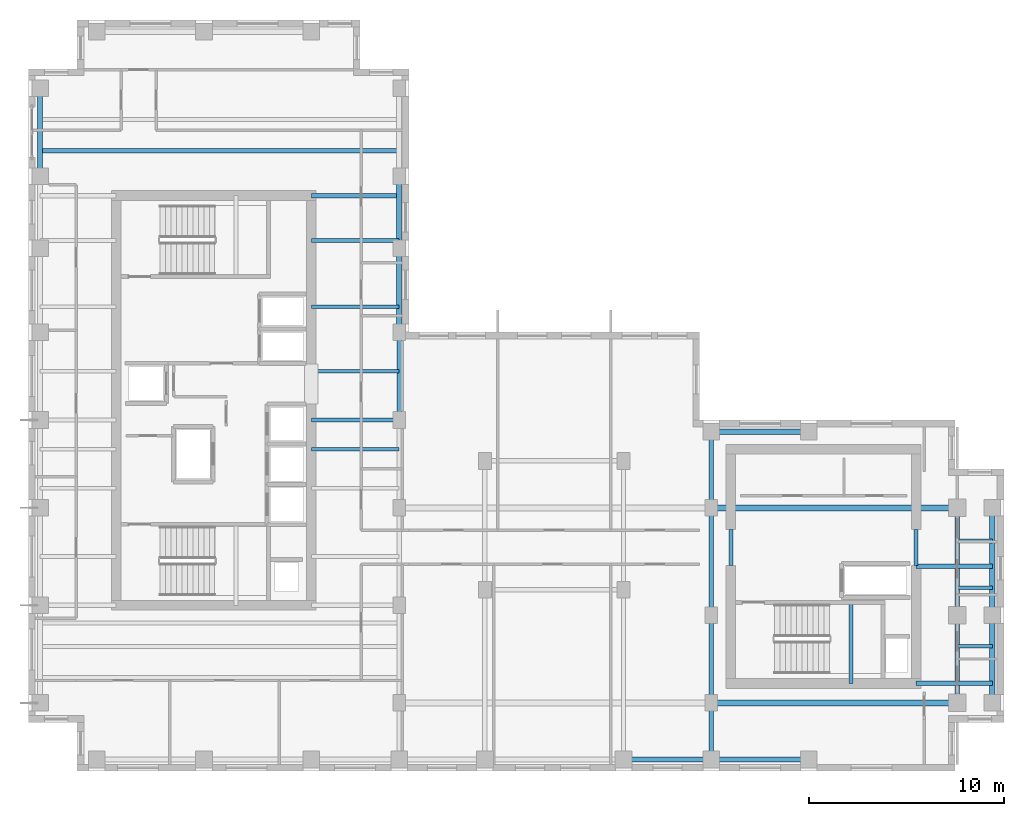
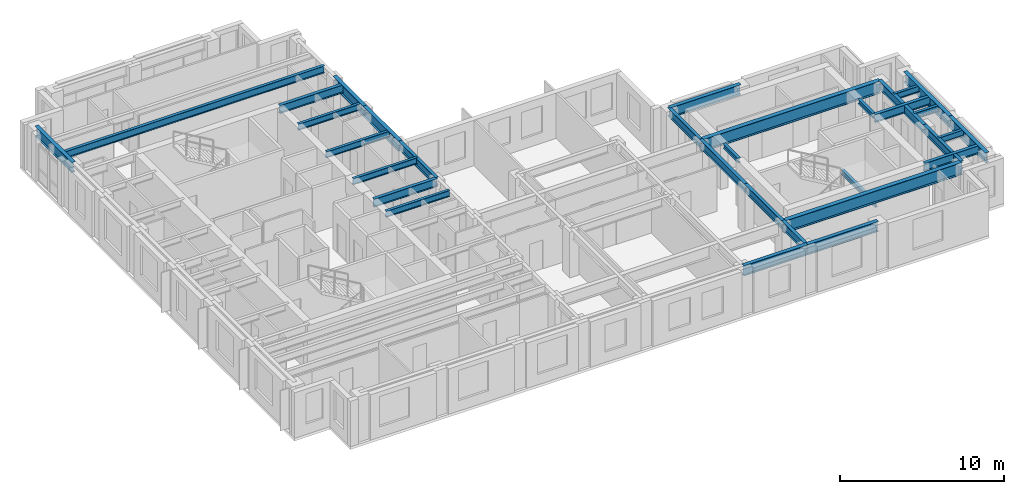
# One storey, part 3 of 13: 32 beams.
"""IFC4 building model written with IfcOpenShell, lengths in metres."""

from ifc_helpers import new_model, si_unit, direction, frame, origin, origin_2d, place, context, subcontext, project, spatial, i_section, extrude, source, transform, mapped, material, material_profile, profile_set, type_object, element, save


model = new_model("IFC4")

# Units and contexts
model_context = context("Model", 3, precision=1e-05, world=origin(), true_north=direction((0.0, 1.0)))
body_context = subcontext(model_context, "Body", "Model", "MODEL_VIEW")
ifc_project = project(units=[si_unit("LENGTHUNIT", "METRE"), si_unit("AREAUNIT", "SQUARE_METRE"), si_unit("VOLUMEUNIT", "CUBIC_METRE"), si_unit("PLANEANGLEUNIT", "RADIAN"), si_unit("MASSUNIT", "GRAM", prefix="KILO")], contexts=[model_context])

# Site, building, storey
site_placement = place(None, origin())
site = spatial("IfcSite", under=ifc_project, at=site_placement, CompositionType="ELEMENT")
building_placement = place(site_placement, origin())
building = spatial("IfcBuilding", under=site, at=building_placement, Name="Kharzan Plaza Tower", CompositionType="ELEMENT")
storey_placement = place(building_placement, frame((0.0, 0.0, 252.0)))
storey = spatial("IfcBuildingStorey", under=building, at=storey_placement, Name="L68", CompositionType="ELEMENT", Elevation=252.0)

# Beams
ifc_material = material(Name="Steel S355", Category="steel")
ifc_material_profile_1 = material_profile(ifc_material, i_section(OverallWidth=0.205078125, OverallDepth=0.35400390625, WebThickness=0.009521484375, FlangeThickness=0.016845703125, at=origin_2d()), Name="W360x79")
ifc_profile_set_1 = profile_set([ifc_material_profile_1], Name="Steel S355")
beam_type_1 = type_object("IfcBeamType", Name="BM-LNT360", PredefinedType="LINTEL", material=ifc_profile_set_1)
shared_shape_1 = source(origin(), body_context, "Body", "SweptSolid", [
    extrude(i_section(OverallWidth=0.205078125, OverallDepth=0.35400390625, WebThickness=0.009521484375, FlangeThickness=0.016845703125, at=origin_2d()), origin(), (0.0, 0.0, 1.0), 1.849853515625),
])
for number, where, z_axis, x_axis, name in (
    (1, (45.5, 10.550048828125, 3.222900390625), (0.0, 1.0, 0.0), (-1.0, 0.0, 0.0), "L68 CORE-B coupling lintel LN1-WE"),
    (2, (36.0, 10.550048828125, 3.222900390625), (0.0, 1.0, 0.0), (-1.0, 0.0, 0.0), "L68 CORE-B coupling lintel LN1-WW"),
):
    element("IfcBeam", number, at=place(storey_placement, frame(where, z_axis=z_axis, x_axis=x_axis)), inside=storey, type_object=beam_type_1, Name=name, PredefinedType="LINTEL", context=body_context, shape_type="MappedRepresentation", body=[
        mapped(shared_shape_1, transform((0.0, 0.0, 0.0), x_axis=(1.0, 0.0, 0.0), y_axis=(0.0, 1.0, 0.0), z_axis=(0.0, 0.0, 1.0))),
    ])
shared_shape_2 = source(origin(), body_context, "Body", "SweptSolid", [
    extrude(i_section(OverallWidth=0.205078125, OverallDepth=0.35400390625, WebThickness=0.009521484375, FlangeThickness=0.016845703125, at=origin_2d()), origin(), (0.0, 0.0, 1.0), 4.155029296875),
])
beam_1_placement = place(storey_placement, frame((42.14990234375, 4.5, 1.423095703125), z_axis=(0.0, 1.0, 0.0), x_axis=(-1.0, 0.0, 0.0)))
element("IfcBeam", 3, at=beam_1_placement, inside=storey, type_object=beam_type_1, Name="L68 Stair ST-3 Half-Landing Beam", PredefinedType="LINTEL", context=body_context, shape_type="MappedRepresentation", body=[
    mapped(shared_shape_2, transform((0.0, 0.0, 0.0), x_axis=(1.0, 0.0, 0.0), y_axis=(0.0, 1.0, 0.0), z_axis=(0.0, 0.0, 1.0))),
])
ifc_material_profile_2 = material_profile(ifc_material, i_section(OverallWidth=0.304931640625, OverallDepth=0.9189453125, WebThickness=0.017333984375, FlangeThickness=0.02783203125, at=origin_2d()), Name="W920x253")
ifc_profile_set_2 = profile_set([ifc_material_profile_2], Name="Steel S355")
beam_type_2 = type_object("IfcBeamType", Name="BM-FG920B", PredefinedType="BEAM", material=ifc_profile_set_2)
shared_shape_3 = source(origin(), body_context, "Body", "SweptSolid", [
    extrude(i_section(OverallWidth=0.304931640625, OverallDepth=0.9189453125, WebThickness=0.017333984375, FlangeThickness=0.02783203125, at=origin_2d()), origin(), (0.0, 0.0, 1.0), 12.60009765625),
])
for number, where, z_axis, x_axis, name in (
    (4, (35.0, 3.5, 2.9404296875), (1.0, 0.0, 0.0), (0.0, 1.0, 0.0), "L68 Primary Floor Girder"),
    (5, (35.0, 13.5, 2.9404296875), (1.0, 0.0, 0.0), (0.0, 1.0, 0.0), "L68 Primary Floor Girder"),
):
    element("IfcBeam", number, at=place(storey_placement, frame(where, z_axis=z_axis, x_axis=x_axis)), inside=storey, type_object=beam_type_2, Name=name, PredefinedType="BEAM", context=body_context, shape_type="MappedRepresentation", body=[
        mapped(shared_shape_3, transform((0.0, 0.0, 0.0), x_axis=(1.0, 0.0, 0.0), y_axis=(0.0, 1.0, 0.0), z_axis=(0.0, 0.0, 1.0))),
    ])
ifc_material_profile_3 = material_profile(ifc_material, i_section(OverallWidth=0.2099609375, OverallDepth=0.537109375, WebThickness=0.010986328125, FlangeThickness=0.017333984375, at=origin_2d()), Name="W530x101")
ifc_profile_set_3 = profile_set([ifc_material_profile_3], Name="Steel S355")
beam_type_3 = type_object("IfcBeamType", Name="BM-JST530B", PredefinedType="JOIST", material=ifc_profile_set_3)
shared_shape_4 = source(origin(), body_context, "Body", "SweptSolid", [
    extrude(i_section(OverallWidth=0.2099609375, OverallDepth=0.537109375, WebThickness=0.010986328125, FlangeThickness=0.017333984375, at=origin_2d()), origin(), (0.0, 0.0, 1.0), 18.39990234375),
])
beam_2_placement = place(storey_placement, frame((0.60009765625, 31.800048828125, 3.131591796875), z_axis=(1.0, 0.0, 0.0), x_axis=(0.0, 1.0, 0.0)))
element("IfcBeam", 6, at=beam_2_placement, inside=storey, type_object=beam_type_3, Name="L68 Wing A Composite Joist 04", PredefinedType="JOIST", context=body_context, shape_type="MappedRepresentation", body=[
    mapped(shared_shape_4, transform((0.0, 0.0, 0.0), x_axis=(1.0, 0.0, 0.0), y_axis=(0.0, 1.0, 0.0), z_axis=(0.0, 0.0, 1.0))),
])
ifc_material_profile_4 = material_profile(ifc_material, i_section(OverallWidth=0.194091796875, OverallDepth=0.468994140625, WebThickness=0.011474609375, FlangeThickness=0.0205078125, at=origin_2d()), Name="W460x106")
ifc_profile_set_4 = profile_set([ifc_material_profile_4], Name="Steel S355")
beam_type_4 = type_object("IfcBeamType", Name="BM-JST460", PredefinedType="JOIST", material=ifc_profile_set_4)
shared_shape_5 = source(origin(), body_context, "Body", "SweptSolid", [
    extrude(i_section(OverallWidth=0.194091796875, OverallDepth=0.468994140625, WebThickness=0.011474609375, FlangeThickness=0.0205078125, at=origin_2d()), origin(), (0.0, 0.0, 1.0), 4.5),
])
for number, where, z_axis, x_axis, name in (
    (7, (14.5, 16.5, 3.16552734375), (1.0, 0.0, 0.0), (0.0, 1.0, 0.0), "L68 Wing A East Infill Joist 3"),
    (8, (14.5, 20.5, 3.16552734375), (1.0, 0.0, 0.0), (0.0, 1.0, 0.0), "L68 Wing A East Infill Joist 4"),
    (9, (14.5, 23.800048828125, 3.16552734375), (1.0, 0.0, 0.0), (0.0, 1.0, 0.0), "L68 Wing A East Infill Joist 5"),
    (10, (14.5, 27.199951171875, 3.16552734375), (1.0, 0.0, 0.0), (0.0, 1.0, 0.0), "L68 Wing A East Infill Joist 6"),
):
    element("IfcBeam", number, at=place(storey_placement, frame(where, z_axis=z_axis, x_axis=x_axis)), inside=storey, type_object=beam_type_4, Name=name, PredefinedType="JOIST", context=body_context, shape_type="MappedRepresentation", body=[
        mapped(shared_shape_5, transform((0.0, 0.0, 0.0), x_axis=(1.0, 0.0, 0.0), y_axis=(0.0, 1.0, 0.0), z_axis=(0.0, 0.0, 1.0))),
    ])
ifc_material_profile_5 = material_profile(ifc_material, i_section(OverallWidth=0.22900390625, OverallDepth=0.612060546875, WebThickness=0.011962890625, FlangeThickness=0.01953125, at=origin_2d()), Name="W610x125")
ifc_profile_set_5 = profile_set([ifc_material_profile_5], Name="Steel S355")
beam_type_5 = type_object("IfcBeamType", Name="BM-FG610B", PredefinedType="BEAM", material=ifc_profile_set_5)
shared_shape_6 = source(origin(), body_context, "Body", "SweptSolid", [
    extrude(i_section(OverallWidth=0.22900390625, OverallDepth=0.612060546875, WebThickness=0.011962890625, FlangeThickness=0.01953125, at=origin_2d()), origin(), (0.0, 0.0, 1.0), 4.5),
])
for number, where, z_axis, x_axis, name in (
    (11, (14.5, 18.0, 3.093994140625), (1.0, 0.0, 0.0), (0.0, 1.0, 0.0), "L68 Core-A East Floor Girder 2"),
    (12, (14.5, 29.5, 3.093994140625), (1.0, 0.0, 0.0), (0.0, 1.0, 0.0), "L68 Core-A East Floor Girder 3"),
    (13, (19.0, 18.0, 3.093994140625), (0.0, 1.0, 0.0), (-1.0, 0.0, 0.0), "L68 Interior Frame Girder"),
    (14, (35.0, 3.5, 3.093994140625), (0.0, 1.0, 0.0), (-1.0, 0.0, 0.0), "L68 Interior Frame Girder"),
    (15, (47.60009765625, 3.5, 3.093994140625), (0.0, 1.0, 0.0), (-1.0, 0.0, 0.0), "L68 Interior Frame Girder"),
):
    element("IfcBeam", number, at=place(storey_placement, frame(where, z_axis=z_axis, x_axis=x_axis)), inside=storey, type_object=beam_type_5, Name=name, PredefinedType="BEAM", context=body_context, shape_type="MappedRepresentation", body=[
        mapped(shared_shape_6, transform((0.0, 0.0, 0.0), x_axis=(1.0, 0.0, 0.0), y_axis=(0.0, 1.0, 0.0), z_axis=(0.0, 0.0, 1.0))),
    ])
shared_shape_7 = source(origin(), body_context, "Body", "SweptSolid", [
    extrude(i_section(OverallWidth=0.22900390625, OverallDepth=0.612060546875, WebThickness=0.011962890625, FlangeThickness=0.01953125, at=origin_2d()), origin(), (0.0, 0.0, 1.0), 3.89990234375),
])
for number, where, z_axis, x_axis, name in (
    (16, (45.5, 4.5, 3.093994140625), (1.0, 0.0, 0.0), (0.0, 1.0, 0.0), "L68 Core-B East Floor Girder 1"),
    (17, (45.5, 10.5, 3.093994140625), (1.0, 0.0, 0.0), (0.0, 1.0, 0.0), "L68 Core-B East Floor Girder 2"),
    (18, (35.0, 13.5, 3.093994140625), (0.0, 1.0, 0.0), (-1.0, 0.0, 0.0), "L68 Interior Frame Girder"),
):
    element("IfcBeam", number, at=place(storey_placement, frame(where, z_axis=z_axis, x_axis=x_axis)), inside=storey, type_object=beam_type_5, Name=name, PredefinedType="BEAM", context=body_context, shape_type="MappedRepresentation", body=[
        mapped(shared_shape_7, transform((0.0, 0.0, 0.0), x_axis=(1.0, 0.0, 0.0), y_axis=(0.0, 1.0, 0.0), z_axis=(0.0, 0.0, 1.0))),
    ])
shared_shape_8 = source(origin(), body_context, "Body", "SweptSolid", [
    extrude(i_section(OverallWidth=0.22900390625, OverallDepth=0.612060546875, WebThickness=0.011962890625, FlangeThickness=0.01953125, at=origin_2d()), origin(), (0.0, 0.0, 1.0), 5.5),
])
for number, where, z_axis, x_axis, name in (
    (19, (35.0, 8.0, 3.093994140625), (0.0, 1.0, 0.0), (-1.0, 0.0, 0.0), "L68 Interior Frame Girder"),
    (20, (47.60009765625, 8.0, 3.093994140625), (0.0, 1.0, 0.0), (-1.0, 0.0, 0.0), "L68 Interior Frame Girder"),
):
    element("IfcBeam", number, at=place(storey_placement, frame(where, z_axis=z_axis, x_axis=x_axis)), inside=storey, type_object=beam_type_5, Name=name, PredefinedType="BEAM", context=body_context, shape_type="MappedRepresentation", body=[
        mapped(shared_shape_8, transform((0.0, 0.0, 0.0), x_axis=(1.0, 0.0, 0.0), y_axis=(0.0, 1.0, 0.0), z_axis=(0.0, 0.0, 1.0))),
    ])
shared_shape_9 = source(origin(), body_context, "Body", "SweptSolid", [
    extrude(i_section(OverallWidth=0.22900390625, OverallDepth=0.612060546875, WebThickness=0.011962890625, FlangeThickness=0.01953125, at=origin_2d()), origin(), (0.0, 0.0, 1.0), 2.89990234375),
])
beam_3_placement = place(storey_placement, frame((35.0, 0.60009765625, 3.093994140625), z_axis=(0.0, 1.0, 0.0), x_axis=(-1.0, 0.0, 0.0)))
element("IfcBeam", 21, at=beam_3_placement, inside=storey, type_object=beam_type_5, Name="L68 Interior Frame Girder", PredefinedType="BEAM", context=body_context, shape_type="MappedRepresentation", body=[
    mapped(shared_shape_9, transform((0.0, 0.0, 0.0), x_axis=(1.0, 0.0, 0.0), y_axis=(0.0, 1.0, 0.0), z_axis=(0.0, 0.0, 1.0))),
])
shared_shape_10 = source(origin(), body_context, "Body", "SweptSolid", [
    extrude(i_section(OverallWidth=0.194091796875, OverallDepth=0.468994140625, WebThickness=0.011474609375, FlangeThickness=0.0205078125, at=origin_2d()), origin(), (0.0, 0.0, 1.0), 1.7998046875),
])
for number, where, z_axis, x_axis, name in (
    (22, (47.60009765625, 6.39990234375, 3.16552734375), (1.0, 0.0, 0.0), (0.0, 1.0, 0.0), "L68 Wing B Composite Joist 02"),
    (23, (47.60009765625, 9.39990234375, 3.16552734375), (1.0, 0.0, 0.0), (0.0, 1.0, 0.0), "L68 Wing B Composite Joist 03"),
    (24, (47.60009765625, 11.800048828125, 3.16552734375), (1.0, 0.0, 0.0), (0.0, 1.0, 0.0), "L68 Wing B Composite Joist 04"),
):
    element("IfcBeam", number, at=place(storey_placement, frame(where, z_axis=z_axis, x_axis=x_axis)), inside=storey, type_object=beam_type_4, Name=name, PredefinedType="JOIST", context=body_context, shape_type="MappedRepresentation", body=[
        mapped(shared_shape_10, transform((0.0, 0.0, 0.0), x_axis=(1.0, 0.0, 0.0), y_axis=(0.0, 1.0, 0.0), z_axis=(0.0, 0.0, 1.0))),
    ])
ifc_material_profile_6 = material_profile(ifc_material, i_section(OverallWidth=0.26708984375, OverallDepth=0.76611328125, WebThickness=0.014892578125, FlangeThickness=0.023681640625, at=origin_2d()), Name="W760x185")
ifc_profile_set_6 = profile_set([ifc_material_profile_6], Name="Steel S355")
beam_type_6 = type_object("IfcBeamType", Name="BM-SP760B", PredefinedType="SPANDREL", material=ifc_profile_set_6)
shared_shape_11 = source(origin(), body_context, "Body", "SweptSolid", [
    extrude(i_section(OverallWidth=0.26708984375, OverallDepth=0.76611328125, WebThickness=0.014892578125, FlangeThickness=0.023681640625, at=origin_2d()), origin(), (0.0, 0.0, 1.0), 5.0),
])
for number, where, z_axis, x_axis, name in (
    (25, (35.0, 0.60009765625, 3.01708984375), (1.0, 0.0, 0.0), (0.0, 1.0, 0.0), "L68 Perimeter Tube Spandrel"),
    (26, (35.0, 17.39990234375, 3.01708984375), (1.0, 0.0, 0.0), (0.0, 1.0, 0.0), "L68 Perimeter Tube Spandrel"),
):
    element("IfcBeam", number, at=place(storey_placement, frame(where, z_axis=z_axis, x_axis=x_axis)), inside=storey, type_object=beam_type_6, Name=name, PredefinedType="SPANDREL", context=body_context, shape_type="MappedRepresentation", body=[
        mapped(shared_shape_11, transform((0.0, 0.0, 0.0), x_axis=(1.0, 0.0, 0.0), y_axis=(0.0, 1.0, 0.0), z_axis=(0.0, 0.0, 1.0))),
    ])
shared_shape_12 = source(origin(), body_context, "Body", "SweptSolid", [
    extrude(i_section(OverallWidth=0.26708984375, OverallDepth=0.76611328125, WebThickness=0.014892578125, FlangeThickness=0.023681640625, at=origin_2d()), origin(), (0.0, 0.0, 1.0), 4.5),
])
for number, where, z_axis, x_axis, name in (
    (27, (0.60009765625, 30.5, 3.01708984375), (0.0, 1.0, 0.0), (-1.0, 0.0, 0.0), "L68 Perimeter Tube Spandrel"),
    (28, (49.39990234375, 3.5, 3.01708984375), (0.0, 1.0, 0.0), (-1.0, 0.0, 0.0), "L68 Perimeter Tube Spandrel"),
    (29, (30.5, 0.60009765625, 3.01708984375), (1.0, 0.0, 0.0), (0.0, 1.0, 0.0), "L68 Perimeter Tube Spandrel"),
):
    element("IfcBeam", number, at=place(storey_placement, frame(where, z_axis=z_axis, x_axis=x_axis)), inside=storey, type_object=beam_type_6, Name=name, PredefinedType="SPANDREL", context=body_context, shape_type="MappedRepresentation", body=[
        mapped(shared_shape_12, transform((0.0, 0.0, 0.0), x_axis=(1.0, 0.0, 0.0), y_axis=(0.0, 1.0, 0.0), z_axis=(0.0, 0.0, 1.0))),
    ])
shared_shape_13 = source(origin(), body_context, "Body", "SweptSolid", [
    extrude(i_section(OverallWidth=0.26708984375, OverallDepth=0.76611328125, WebThickness=0.014892578125, FlangeThickness=0.023681640625, at=origin_2d()), origin(), (0.0, 0.0, 1.0), 4.300048828125),
])
beam_4_placement = place(storey_placement, frame((19.0, 22.5, 3.01708984375), z_axis=(0.0, 1.0, 0.0), x_axis=(-1.0, 0.0, 0.0)))
element("IfcBeam", 30, at=beam_4_placement, inside=storey, type_object=beam_type_6, Name="L68 Perimeter Tube Spandrel", PredefinedType="SPANDREL", context=body_context, shape_type="MappedRepresentation", body=[
    mapped(shared_shape_13, transform((0.0, 0.0, 0.0), x_axis=(1.0, 0.0, 0.0), y_axis=(0.0, 1.0, 0.0), z_axis=(0.0, 0.0, 1.0))),
])
shared_shape_14 = source(origin(), body_context, "Body", "SweptSolid", [
    extrude(i_section(OverallWidth=0.26708984375, OverallDepth=0.76611328125, WebThickness=0.014892578125, FlangeThickness=0.023681640625, at=origin_2d()), origin(), (0.0, 0.0, 1.0), 3.699951171875),
])
beam_5_placement = place(storey_placement, frame((19.0, 26.800048828125, 3.01708984375), z_axis=(0.0, 1.0, 0.0), x_axis=(-1.0, 0.0, 0.0)))
element("IfcBeam", 31, at=beam_5_placement, inside=storey, type_object=beam_type_6, Name="L68 Perimeter Tube Spandrel", PredefinedType="SPANDREL", context=body_context, shape_type="MappedRepresentation", body=[
    mapped(shared_shape_14, transform((0.0, 0.0, 0.0), x_axis=(1.0, 0.0, 0.0), y_axis=(0.0, 1.0, 0.0), z_axis=(0.0, 0.0, 1.0))),
])
shared_shape_15 = source(origin(), body_context, "Body", "SweptSolid", [
    extrude(i_section(OverallWidth=0.26708984375, OverallDepth=0.76611328125, WebThickness=0.014892578125, FlangeThickness=0.023681640625, at=origin_2d()), origin(), (0.0, 0.0, 1.0), 5.5),
])
beam_6_placement = place(storey_placement, frame((49.39990234375, 8.0, 3.01708984375), z_axis=(0.0, 1.0, 0.0), x_axis=(-1.0, 0.0, 0.0)))
element("IfcBeam", 32, at=beam_6_placement, inside=storey, type_object=beam_type_6, Name="L68 Perimeter Tube Spandrel", PredefinedType="SPANDREL", context=body_context, shape_type="MappedRepresentation", body=[
    mapped(shared_shape_15, transform((0.0, 0.0, 0.0), x_axis=(1.0, 0.0, 0.0), y_axis=(0.0, 1.0, 0.0), z_axis=(0.0, 0.0, 1.0))),
])

save(model, "model.ifc")
